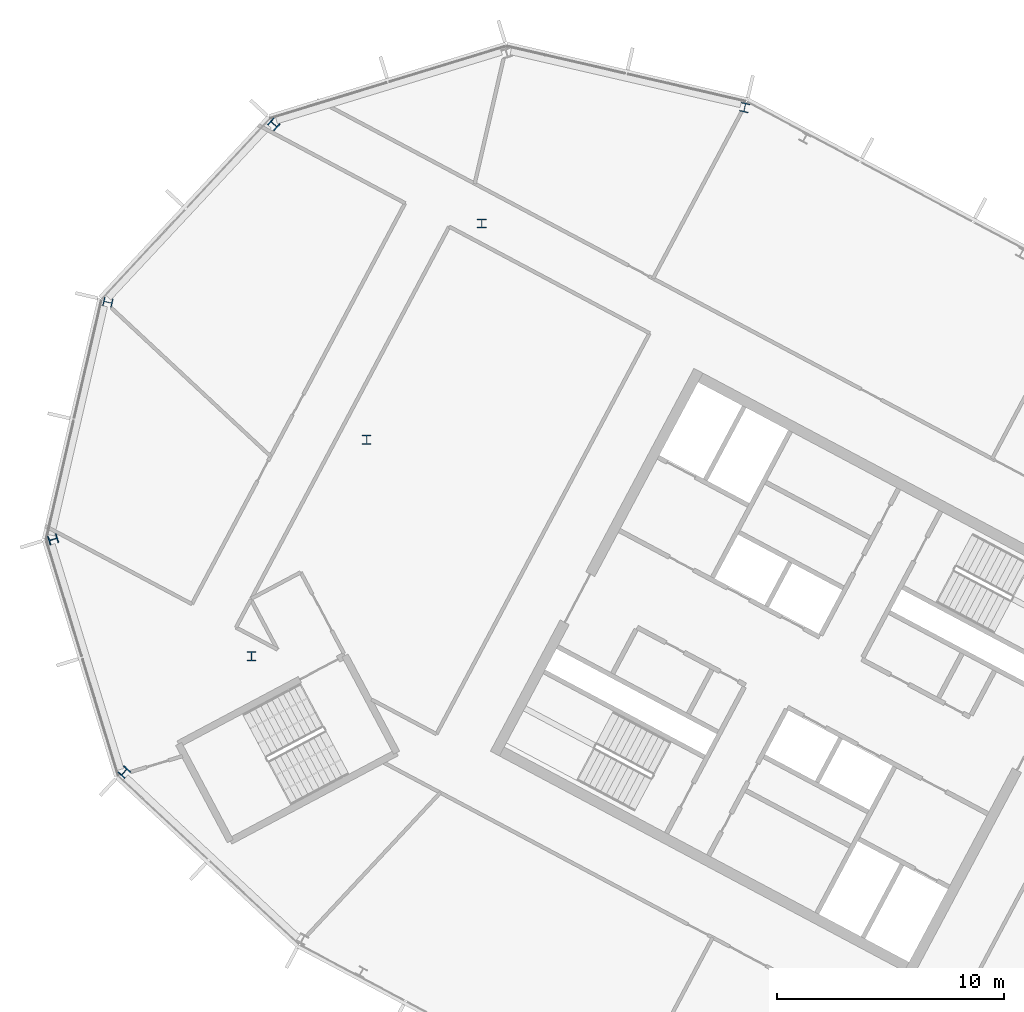
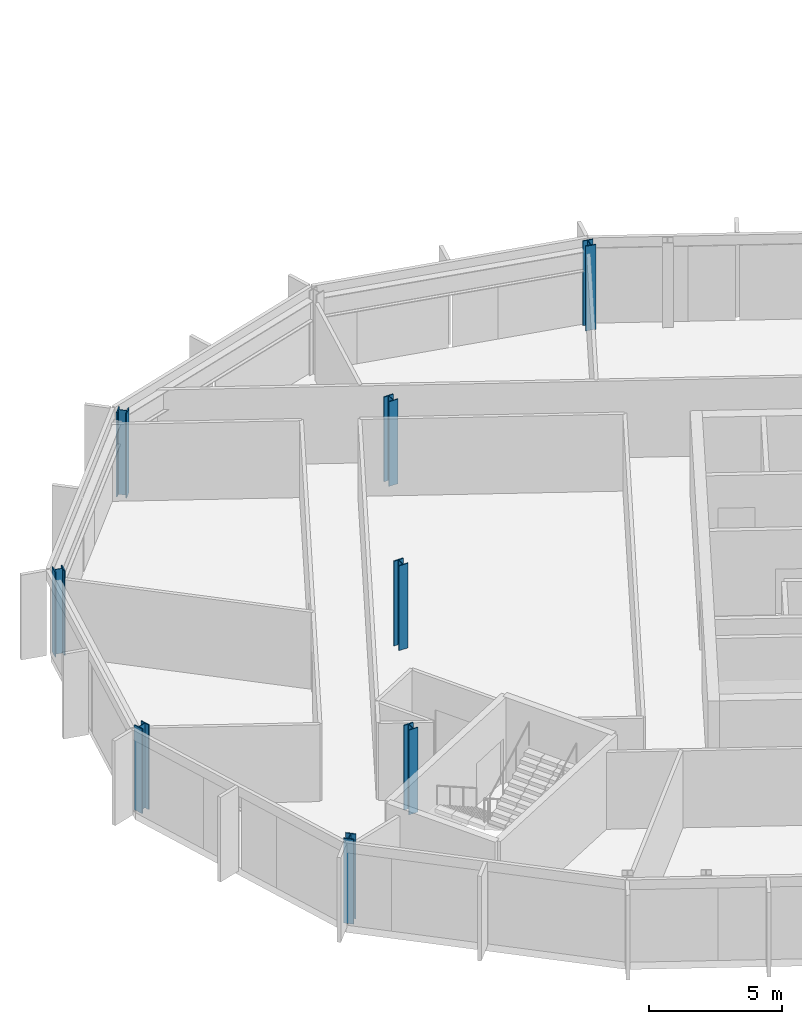
# One storey, part 3 of 26: 8 columns.
"""IFC4 building model written with IfcOpenShell, lengths in metres."""

from ifc_helpers import new_model, si_unit, direction, frame, origin, origin_2d, place, context, subcontext, project, spatial, i_section, extrude, material, material_profile, profile_set, type_object, element, save


model = new_model("IFC4")

# Units and contexts
model_context = context("Model", 3, precision=1e-05, world=origin(), true_north=direction((0.0, 1.0)))
body_context = subcontext(model_context, "Body", "Model", "MODEL_VIEW")
ifc_project = project(units=[si_unit("LENGTHUNIT", "METRE"), si_unit("AREAUNIT", "SQUARE_METRE"), si_unit("VOLUMEUNIT", "CUBIC_METRE"), si_unit("PLANEANGLEUNIT", "RADIAN"), si_unit("MASSUNIT", "GRAM", prefix="KILO")], contexts=[model_context])

# Site, building, storey
site_placement = place(None, origin())
site = spatial("IfcSite", under=ifc_project, at=site_placement, CompositionType="ELEMENT")
building_placement = place(site_placement, origin())
building = spatial("IfcBuilding", under=site, at=building_placement, Name="Cormorant Relay Tower", CompositionType="ELEMENT")
storey_placement = place(building_placement, frame((0.0, 0.0, 277.5)))
storey = spatial("IfcBuildingStorey", under=building, at=storey_placement, Name="L62", CompositionType="ELEMENT", Elevation=277.5)

# Columns
ifc_material = material(Name="Steel ASTM A992 (Fy 345 MPa)", Category="steel")
ifc_material_profile = material_profile(ifc_material, i_section(OverallWidth=0.40380859375, OverallDepth=0.406494140625, WebThickness=0.027099609375, FlangeThickness=0.043701171875, FilletRadius=0.01513671875, at=origin_2d()), Name="W360x347")
ifc_profile_set = profile_set([ifc_material_profile], Name="Steel ASTM A992 (Fy 345 MPa)")
column_type = type_object("IfcColumnType", Name="Column W360x347", PredefinedType="COLUMN", material=ifc_profile_set)
for number, where, z_axis, x_axis, name in (
    (1, (-57.2958984375, 10.152099609375, 0.0), (0.0, 0.0, 1.0), (0.731353701619, -0.681998360062, 0.0), "Column L62-022"),
    (2, (-51.68994140625, 15.251953125, 0.0), (0.0, 0.0, 1.0), (1.0, 0.0, 0.0), "Column L62-026"),
    (3, (-60.429931640625, 20.403076171875, 0.0), (0.0, 0.0, 1.0), (0.292371704723, -0.956304755963, 0.0), "Column L62-028"),
    (4, (-46.6201171875, 24.7880859375, 0.0), (0.0, 0.0, 1.0), (1.0, 0.0, 0.0), "Column L62-030"),
    (5, (-58.01806640625, 30.84912109375, 0.0), (0.0, 0.0, 1.0), (-0.224951054344, -0.974370064785, 0.0), "Column L62-034"),
    (6, (-41.549072265625, 34.323974609375, 0.0), (0.0, 0.0, 1.0), (1.0, 0.0, 0.0), "Column L62-037"),
    (7, (-50.70703125, 38.68896484375, 0.0), (0.0, 0.0, 1.0), (-0.681998360062, -0.731353701619, 0.0), "Column L62-041"),
    (8, (-29.965087890625, 39.425048828125, 0.0), (0.0, 0.0, 1.0), (-0.974370064785, 0.224951054344, 0.0), "Column L62-042"),
):
    element("IfcColumn", number, at=place(storey_placement, frame(where, z_axis=z_axis, x_axis=x_axis)), inside=storey, type_object=column_type, Name=name, PredefinedType="COLUMN", context=body_context, shape_type="SweptSolid", body=[
        extrude(i_section(OverallWidth=0.40380859375, OverallDepth=0.406494140625, WebThickness=0.027099609375, FlangeThickness=0.043701171875, FilletRadius=0.01513671875, at=origin_2d()), origin(), (0.0, 0.0, 1.0), 3.89990234375),
    ])

save(model, "model.ifc")
